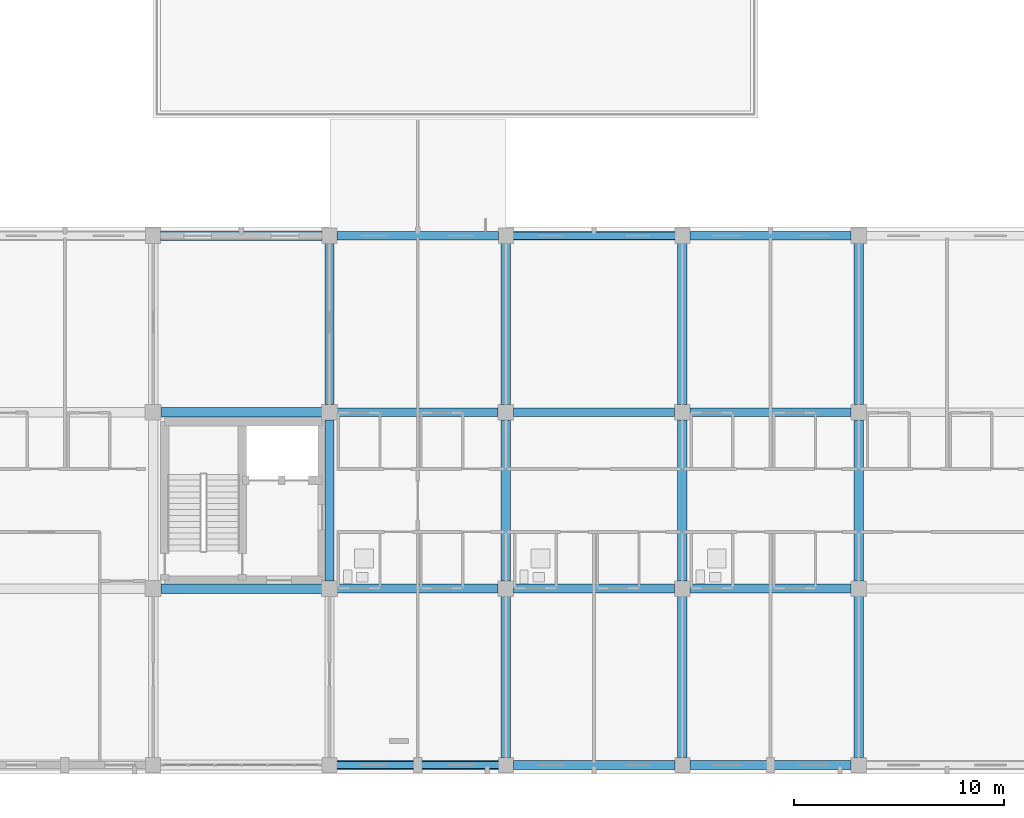
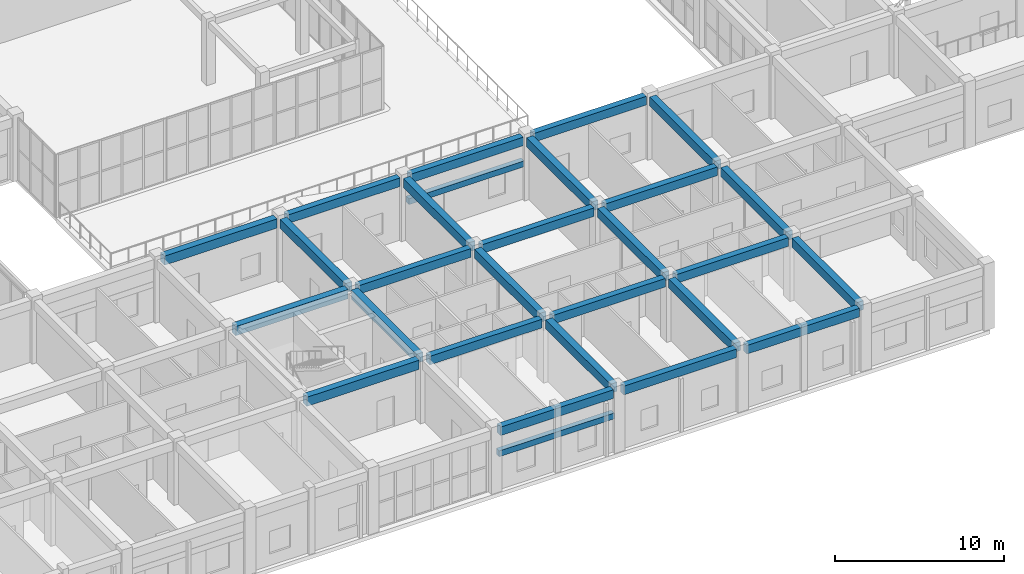
# One storey, part 37 of 158: 28 beams.
"""IFC4 building model written with IfcOpenShell, lengths in metres."""

from ifc_helpers import new_model, si_unit, direction, frame, origin, origin_2d, place, context, subcontext, project, spatial, rectangle, extrude, material, material_profile, profile_set, type_object, element, save


model = new_model("IFC4")

# Units and contexts
model_context = context("Model", 3, precision=1e-05, world=origin(), true_north=direction((0.0, 1.0)))
body_context = subcontext(model_context, "Body", "Model", "MODEL_VIEW")
ifc_project = project(units=[si_unit("LENGTHUNIT", "METRE"), si_unit("AREAUNIT", "SQUARE_METRE"), si_unit("VOLUMEUNIT", "CUBIC_METRE"), si_unit("PLANEANGLEUNIT", "RADIAN"), si_unit("MASSUNIT", "GRAM", prefix="KILO")], contexts=[model_context])

# Site, building, storey
site_placement = place(None, origin())
site = spatial("IfcSite", under=ifc_project, at=site_placement, CompositionType="ELEMENT")
building_placement = place(site_placement, origin())
building = spatial("IfcBuilding", under=site, at=building_placement, Name="Trelvath General Hospital", CompositionType="ELEMENT")
storey_placement = place(building_placement, frame((0.0, 0.0, 8.10009765625)))
storey = spatial("IfcBuildingStorey", under=building, at=storey_placement, Name="L02", CompositionType="ELEMENT", Elevation=8.10009765625)

# Beams
ifc_material_1 = material(Name="Concrete C35/45", Category="concrete")
ifc_material_profile_1 = material_profile(ifc_material_1, rectangle(XDim=0.419921875, YDim=0.6201171875, at=origin_2d()), Name="RCB420x620")
ifc_profile_set_1 = profile_set([ifc_material_profile_1], Name="Concrete C35/45")
beam_type_1 = type_object("IfcBeamType", Name="Beam RC420x620", PredefinedType="BEAM", material=ifc_profile_set_1)
beam_1_placement = place(storey_placement, frame((101.155029296875, 0.0, 4.2099609375), z_axis=(1.0, 0.0, 0.0), x_axis=(0.0, 1.0, 0.0)))
element("IfcBeam", 1, at=beam_1_placement, inside=storey, type_object=beam_type_1, Name="Grid Beam BX-212A", PredefinedType="BEAM", context=body_context, shape_type="SweptSolid", body=[
    extrude(rectangle(XDim=0.419921875, YDim=0.6201171875, at=origin_2d()), origin(), (0.0, 0.0, 1.0), 7.68994140625),
])
for number, where, z_axis, x_axis, name in (
    (2, (101.1650390625, 8.39990234375, 4.2099609375), (1.0, 0.0, 0.0), (0.0, 1.0, 0.0), "Grid Beam BX-212B"),
    (3, (101.1650390625, 16.800048828125, 4.2099609375), (1.0, 0.0, 0.0), (0.0, 1.0, 0.0), "Grid Beam BX-212C"),
):
    element("IfcBeam", number, at=place(storey_placement, frame(where, z_axis=z_axis, x_axis=x_axis)), inside=storey, type_object=beam_type_1, Name=name, PredefinedType="BEAM", context=body_context, shape_type="SweptSolid", body=[
        extrude(rectangle(XDim=0.419921875, YDim=0.6201171875, at=origin_2d()), origin(), (0.0, 0.0, 1.0), 7.669921875),
    ])
beam_2_placement = place(storey_placement, frame((101.155029296875, 25.199951171875, 4.2099609375), z_axis=(1.0, 0.0, 0.0), x_axis=(0.0, 1.0, 0.0)))
element("IfcBeam", 4, at=beam_2_placement, inside=storey, type_object=beam_type_1, Name="Grid Beam BX-212D", PredefinedType="BEAM", context=body_context, shape_type="SweptSolid", body=[
    extrude(rectangle(XDim=0.419921875, YDim=0.6201171875, at=origin_2d()), origin(), (0.0, 0.0, 1.0), 7.68994140625),
])
beam_3_placement = place(storey_placement, frame((109.554931640625, 0.0, 4.2099609375), z_axis=(1.0, 0.0, 0.0), x_axis=(0.0, 1.0, 0.0)))
element("IfcBeam", 5, at=beam_3_placement, inside=storey, type_object=beam_type_1, Name="Grid Beam BX-213A", PredefinedType="BEAM", context=body_context, shape_type="SweptSolid", body=[
    extrude(rectangle(XDim=0.419921875, YDim=0.6201171875, at=origin_2d()), origin(), (0.0, 0.0, 1.0), 7.690185546875),
])
for number, where, z_axis, x_axis, name in (
    (6, (109.56494140625, 8.39990234375, 4.2099609375), (1.0, 0.0, 0.0), (0.0, 1.0, 0.0), "Grid Beam BX-213B"),
    (7, (109.56494140625, 16.800048828125, 4.2099609375), (1.0, 0.0, 0.0), (0.0, 1.0, 0.0), "Grid Beam BX-213C"),
):
    element("IfcBeam", number, at=place(storey_placement, frame(where, z_axis=z_axis, x_axis=x_axis)), inside=storey, type_object=beam_type_1, Name=name, PredefinedType="BEAM", context=body_context, shape_type="SweptSolid", body=[
        extrude(rectangle(XDim=0.419921875, YDim=0.6201171875, at=origin_2d()), origin(), (0.0, 0.0, 1.0), 7.670166015625),
    ])
beam_4_placement = place(storey_placement, frame((109.554931640625, 25.199951171875, 4.2099609375), z_axis=(1.0, 0.0, 0.0), x_axis=(0.0, 1.0, 0.0)))
element("IfcBeam", 8, at=beam_4_placement, inside=storey, type_object=beam_type_1, Name="Grid Beam BX-213D", PredefinedType="BEAM", context=body_context, shape_type="SweptSolid", body=[
    extrude(rectangle(XDim=0.419921875, YDim=0.6201171875, at=origin_2d()), origin(), (0.0, 0.0, 1.0), 7.690185546875),
])
beam_5_placement = place(storey_placement, frame((117.955078125, 0.0, 4.2099609375), z_axis=(1.0, 0.0, 0.0), x_axis=(0.0, 1.0, 0.0)))
element("IfcBeam", 9, at=beam_5_placement, inside=storey, type_object=beam_type_1, Name="Grid Beam BX-214A", PredefinedType="BEAM", context=body_context, shape_type="SweptSolid", body=[
    extrude(rectangle(XDim=0.419921875, YDim=0.6201171875, at=origin_2d()), origin(), (0.0, 0.0, 1.0), 7.68994140625),
])
for number, where, z_axis, x_axis, name in (
    (10, (117.965087890625, 8.39990234375, 4.2099609375), (1.0, 0.0, 0.0), (0.0, 1.0, 0.0), "Grid Beam BX-214B"),
    (11, (117.965087890625, 16.800048828125, 4.2099609375), (1.0, 0.0, 0.0), (0.0, 1.0, 0.0), "Grid Beam BX-214C"),
):
    element("IfcBeam", number, at=place(storey_placement, frame(where, z_axis=z_axis, x_axis=x_axis)), inside=storey, type_object=beam_type_1, Name=name, PredefinedType="BEAM", context=body_context, shape_type="SweptSolid", body=[
        extrude(rectangle(XDim=0.419921875, YDim=0.6201171875, at=origin_2d()), origin(), (0.0, 0.0, 1.0), 7.669921875),
    ])
beam_6_placement = place(storey_placement, frame((117.955078125, 25.199951171875, 4.2099609375), z_axis=(1.0, 0.0, 0.0), x_axis=(0.0, 1.0, 0.0)))
element("IfcBeam", 12, at=beam_6_placement, inside=storey, type_object=beam_type_1, Name="Grid Beam BX-214D", PredefinedType="BEAM", context=body_context, shape_type="SweptSolid", body=[
    extrude(rectangle(XDim=0.419921875, YDim=0.6201171875, at=origin_2d()), origin(), (0.0, 0.0, 1.0), 7.68994140625),
])
ifc_material_2 = material(Name="Concrete C35/45", Category="concrete")
ifc_material_profile_2 = material_profile(ifc_material_2, rectangle(XDim=0.449951171875, YDim=0.64990234375, at=origin_2d()), Name="RCB450x650")
ifc_profile_set_2 = profile_set([ifc_material_profile_2], Name="Concrete C35/45")
beam_type_2 = type_object("IfcBeamType", Name="Beam RC450x650", PredefinedType="BEAM", material=ifc_profile_set_2)
beam_7_placement = place(storey_placement, frame((100.800048828125, 8.764892578125, 4.19482421875), z_axis=(0.0, 1.0, 0.0), x_axis=(-1.0, 0.0, 0.0)))
element("IfcBeam", 13, at=beam_7_placement, inside=storey, type_object=beam_type_2, Name="Grid Beam BY-212B", PredefinedType="BEAM", context=body_context, shape_type="SweptSolid", body=[
    extrude(rectangle(XDim=0.449951171875, YDim=0.64990234375, at=origin_2d()), origin(), (0.0, 0.0, 1.0), 7.670166015625),
])
for number, where, z_axis, x_axis, name in (
    (14, (100.800048828125, 17.1650390625, 4.19482421875), (0.0, 1.0, 0.0), (-1.0, 0.0, 0.0), "Grid Beam BY-212C"),
    (15, (109.199951171875, 0.35498046875, 4.19482421875), (0.0, 1.0, 0.0), (-1.0, 0.0, 0.0), "Grid Beam BY-213A"),
):
    element("IfcBeam", number, at=place(storey_placement, frame(where, z_axis=z_axis, x_axis=x_axis)), inside=storey, type_object=beam_type_2, Name=name, PredefinedType="BEAM", context=body_context, shape_type="SweptSolid", body=[
        extrude(rectangle(XDim=0.449951171875, YDim=0.64990234375, at=origin_2d()), origin(), (0.0, 0.0, 1.0), 7.679931640625),
    ])
beam_8_placement = place(storey_placement, frame((109.199951171875, 8.764892578125, 4.19482421875), z_axis=(0.0, 1.0, 0.0), x_axis=(-1.0, 0.0, 0.0)))
element("IfcBeam", 16, at=beam_8_placement, inside=storey, type_object=beam_type_2, Name="Grid Beam BY-213B", PredefinedType="BEAM", context=body_context, shape_type="SweptSolid", body=[
    extrude(rectangle(XDim=0.449951171875, YDim=0.64990234375, at=origin_2d()), origin(), (0.0, 0.0, 1.0), 7.670166015625),
])
for number, where, z_axis, x_axis, name in (
    (17, (109.199951171875, 17.1650390625, 4.19482421875), (0.0, 1.0, 0.0), (-1.0, 0.0, 0.0), "Grid Beam BY-213C"),
    (18, (117.60009765625, 0.35498046875, 4.19482421875), (0.0, 1.0, 0.0), (-1.0, 0.0, 0.0), "Grid Beam BY-214A"),
):
    element("IfcBeam", number, at=place(storey_placement, frame(where, z_axis=z_axis, x_axis=x_axis)), inside=storey, type_object=beam_type_2, Name=name, PredefinedType="BEAM", context=body_context, shape_type="SweptSolid", body=[
        extrude(rectangle(XDim=0.449951171875, YDim=0.64990234375, at=origin_2d()), origin(), (0.0, 0.0, 1.0), 7.679931640625),
    ])
beam_9_placement = place(storey_placement, frame((117.60009765625, 8.764892578125, 4.19482421875), z_axis=(0.0, 1.0, 0.0), x_axis=(-1.0, 0.0, 0.0)))
element("IfcBeam", 19, at=beam_9_placement, inside=storey, type_object=beam_type_2, Name="Grid Beam BY-214B", PredefinedType="BEAM", context=body_context, shape_type="SweptSolid", body=[
    extrude(rectangle(XDim=0.449951171875, YDim=0.64990234375, at=origin_2d()), origin(), (0.0, 0.0, 1.0), 7.670166015625),
])
for number, where, z_axis, x_axis, name in (
    (20, (117.60009765625, 17.1650390625, 4.19482421875), (0.0, 1.0, 0.0), (-1.0, 0.0, 0.0), "Grid Beam BY-214C"),
    (21, (126.0, 0.35498046875, 4.19482421875), (0.0, 1.0, 0.0), (-1.0, 0.0, 0.0), "Grid Beam BY-215A"),
):
    element("IfcBeam", number, at=place(storey_placement, frame(where, z_axis=z_axis, x_axis=x_axis)), inside=storey, type_object=beam_type_2, Name=name, PredefinedType="BEAM", context=body_context, shape_type="SweptSolid", body=[
        extrude(rectangle(XDim=0.449951171875, YDim=0.64990234375, at=origin_2d()), origin(), (0.0, 0.0, 1.0), 7.679931640625),
    ])
beam_10_placement = place(storey_placement, frame((126.0, 8.764892578125, 4.19482421875), z_axis=(0.0, 1.0, 0.0), x_axis=(-1.0, 0.0, 0.0)))
element("IfcBeam", 22, at=beam_10_placement, inside=storey, type_object=beam_type_2, Name="Grid Beam BY-215B", PredefinedType="BEAM", context=body_context, shape_type="SweptSolid", body=[
    extrude(rectangle(XDim=0.449951171875, YDim=0.64990234375, at=origin_2d()), origin(), (0.0, 0.0, 1.0), 7.670166015625),
])
beam_11_placement = place(storey_placement, frame((126.0, 17.1650390625, 4.19482421875), z_axis=(0.0, 1.0, 0.0), x_axis=(-1.0, 0.0, 0.0)))
element("IfcBeam", 23, at=beam_11_placement, inside=storey, type_object=beam_type_2, Name="Grid Beam BY-215C", PredefinedType="BEAM", context=body_context, shape_type="SweptSolid", body=[
    extrude(rectangle(XDim=0.449951171875, YDim=0.64990234375, at=origin_2d()), origin(), (0.0, 0.0, 1.0), 7.679931640625),
])
ifc_material_3 = material(Name="Concrete C35/45", Category="concrete")
ifc_material_profile_3 = material_profile(ifc_material_3, rectangle(XDim=0.4599609375, YDim=0.659912109375, at=origin_2d()), Name="RCB460x660")
ifc_profile_set_3 = profile_set([ifc_material_profile_3], Name="Concrete C35/45")
beam_type_3 = type_object("IfcBeamType", Name="Beam RC460x660", PredefinedType="BEAM", material=ifc_profile_set_3)
for number, where, z_axis, x_axis, name in (
    (24, (92.77001953125, 8.39990234375, 4.18994140625), (1.0, 0.0, 0.0), (0.0, 1.0, 0.0), "Grid Beam BX-211B"),
    (25, (92.77001953125, 16.800048828125, 4.18994140625), (1.0, 0.0, 0.0), (0.0, 1.0, 0.0), "Grid Beam BX-211C"),
):
    element("IfcBeam", number, at=place(storey_placement, frame(where, z_axis=z_axis, x_axis=x_axis)), inside=storey, type_object=beam_type_3, Name=name, PredefinedType="BEAM", context=body_context, shape_type="SweptSolid", body=[
        extrude(rectangle(XDim=0.4599609375, YDim=0.659912109375, at=origin_2d()), origin(), (0.0, 0.0, 1.0), 7.6650390625),
    ])
beam_12_placement = place(storey_placement, frame((92.7548828125, 25.199951171875, 4.18994140625), z_axis=(1.0, 0.0, 0.0), x_axis=(0.0, 1.0, 0.0)))
element("IfcBeam", 26, at=beam_12_placement, inside=storey, type_object=beam_type_3, Name="Grid Beam BX-211D", PredefinedType="BEAM", context=body_context, shape_type="SweptSolid", body=[
    extrude(rectangle(XDim=0.4599609375, YDim=0.659912109375, at=origin_2d()), origin(), (0.0, 0.0, 1.0), 7.690185546875),
])
ifc_material_4 = material(Name="Precast concrete C40/50", Category="concrete")
ifc_material_profile_4 = material_profile(ifc_material_4, rectangle(XDim=0.35009765625, YDim=0.419921875, at=origin_2d()), Name="PCL350x420")
ifc_profile_set_4 = profile_set([ifc_material_profile_4], Name="Precast concrete C40/50")
beam_type_4 = type_object("IfcBeamType", Name="Lintel PC350x420", PredefinedType="LINTEL", material=ifc_profile_set_4)
beam_13_placement = place(storey_placement, frame((108.925048828125, 0.0, 2.58984375), z_axis=(-1.0, 0.0, 0.0), x_axis=(0.0, -1.0, 0.0)))
element("IfcBeam", 27, at=beam_13_placement, inside=storey, type_object=beam_type_4, Name="Precast Window Brow Lintel L02-284", PredefinedType="LINTEL", context=body_context, shape_type="SweptSolid", body=[
    extrude(rectangle(XDim=0.35009765625, YDim=0.419921875, at=origin_2d()), origin(), (0.0, 0.0, 1.0), 7.85009765625),
])
beam_14_placement = place(storey_placement, frame((109.47509765625, 25.199951171875, 2.5498046875), z_axis=(1.0, 0.0, 0.0), x_axis=(0.0, 1.0, 0.0)))
element("IfcBeam", 28, at=beam_14_placement, inside=storey, type_object=beam_type_4, Name="Precast Window Brow Lintel L02-289", PredefinedType="LINTEL", context=body_context, shape_type="SweptSolid", body=[
    extrude(rectangle(XDim=0.35009765625, YDim=0.419921875, at=origin_2d()), origin(), (0.0, 0.0, 1.0), 7.849853515625),
])

save(model, "model.ifc")
